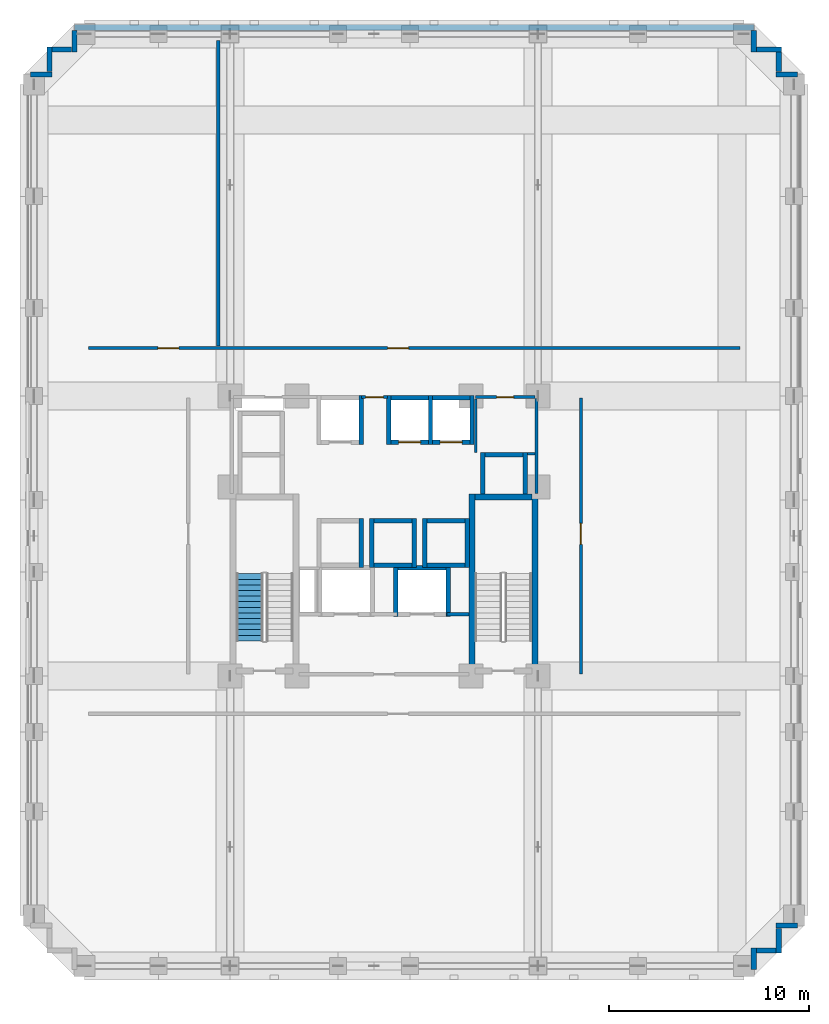
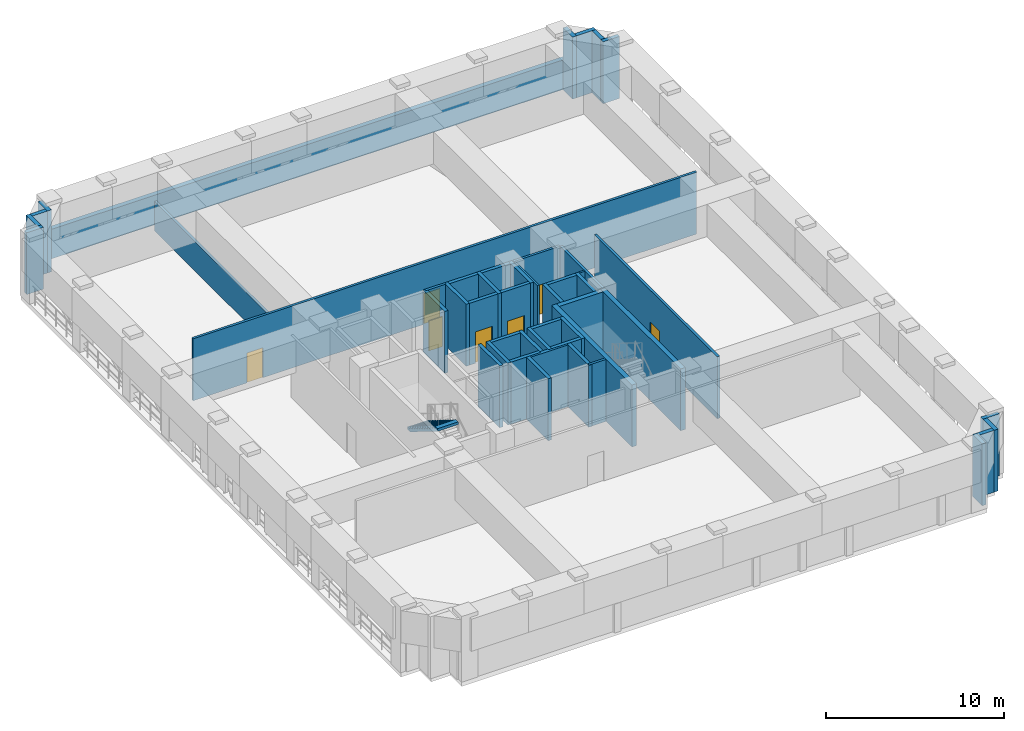
# One storey, part 5 of 11: 48 walls, 7 doors, 1 stair flight, 7 openings, 1 element without a shape of its own.
"""IFC4 building model written with IfcOpenShell, lengths in metres."""

from ifc_helpers import new_model, si_unit, derived_unit, direction, frame, frame_2d, origin, place, context, subcontext, project, spatial, polyline, rectangle, outline, extrude, material, layer, layer_set, type_object, element, fill, aggregate, save


model = new_model("IFC4")

# Units and contexts
model_context = context("Model", 3, precision=1e-05, world=origin(), true_north=direction((0.0, 1.0)))
body_context = subcontext(model_context, "Body", "Model", "MODEL_VIEW")
ifc_project = project(units=[si_unit("LENGTHUNIT", "METRE"), si_unit("AREAUNIT", "SQUARE_METRE"), si_unit("VOLUMEUNIT", "CUBIC_METRE"), si_unit("PLANEANGLEUNIT", "RADIAN"), si_unit("MASSUNIT", "GRAM", prefix="KILO"), derived_unit("THERMALTRANSMITTANCEUNIT", [(si_unit("MASSUNIT", "GRAM", prefix="KILO"), 1), (si_unit("TIMEUNIT", "SECOND"), -3), (si_unit("THERMODYNAMICTEMPERATUREUNIT", "KELVIN"), -1)])], contexts=[model_context])

# Site, building, storey
site_placement = place(None, origin())
site = spatial("IfcSite", under=ifc_project, at=site_placement, CompositionType="ELEMENT")
building_placement = place(site_placement, origin())
building = spatial("IfcBuilding", under=site, at=building_placement, Name="Korrvale Station Residences", CompositionType="ELEMENT")
storey_placement = place(building_placement, frame((0.0, 0.0, 70.60009765625)))
storey = spatial("IfcBuildingStorey", under=building, at=storey_placement, Name="L19", CompositionType="ELEMENT", Elevation=70.60009765625)

# Walls
ifc_material_1 = material(Name="Concrete C70/85", Category="concrete")
ifc_layer_1 = layer(ifc_material_1, 0.300048828125, Name="Concrete C70/85")
ifc_layer_set_1 = layer_set([ifc_layer_1], Name="Concrete C70/85")
wall_type_1 = type_object("IfcWallType", Name="WAL-CORE-300-C70", PredefinedType="SHEAR", material=ifc_layer_set_1)
for number, where, z_axis, x_axis, name in (
    (1, (29.89990234375, 15.10009765625, 0.0), (0.0, 0.0, 1.0), (0.0, 1.0, 0.0), "L19 ST-2 Core Shear Wall West"),
    (2, (33.050048828125, 15.10009765625, 0.0), (0.0, 0.0, 1.0), (0.0, 1.0, 0.0), "L19 ST-2 Core Shear Wall East"),
):
    element("IfcWall", number, at=place(storey_placement, frame(where, z_axis=z_axis, x_axis=x_axis)), inside=storey, type_object=wall_type_1, Name=name, PredefinedType="SHEAR", context=body_context, shape_type="SweptSolid", body=[
        extrude(rectangle(XDim=9.0, YDim=0.300048828125, at=frame_2d((4.5, 0.0))), origin(), (0.0, 0.0, 1.0), 4.239990234375),
    ])
wall_1_placement = place(storey_placement, frame((30.050048828125, 23.949951171875, 0.0), z_axis=(0.0, 0.0, 1.0), x_axis=(1.0, 0.0, 0.0)))
element("IfcWall", 3, at=wall_1_placement, inside=storey, type_object=wall_type_1, Name="L19 ST-2 Core Shear Wall North", PredefinedType="SHEAR", context=body_context, shape_type="SweptSolid", body=[
    extrude(rectangle(XDim=2.849853515625, YDim=0.300048828125, at=frame_2d((1.4248046875, 0.0))), origin(), (0.0, 0.0, 1.0), 4.239990234375),
])
ifc_material_2 = material(Name="Precast concrete C45/55", Category="concrete")
ifc_layer_2 = layer(ifc_material_2, 0.260009765625, Name="Precast concrete C45/55")
ifc_layer_set_2 = layer_set([ifc_layer_2], Name="Precast concrete C45/55")
wall_type_2 = type_object("IfcWallType", Name="WAL-EXT-LOG260", PredefinedType="SOLIDWALL", material=ifc_layer_set_2)
wall_2_placement = place(storey_placement, frame((7.802001953125, 45.10009765625, 0.0), z_axis=(0.0, 0.0, 1.0), x_axis=(1.0, 0.0, 0.0)))
element("IfcWall", 4, at=wall_2_placement, inside=storey, type_object=wall_type_2, Name="L19 Serrated Corner Precast Step NW-1", PredefinedType="SOLIDWALL", context=body_context, shape_type="SweptSolid", body=[
    extrude(rectangle(XDim=1.077880859375, YDim=0.260009765625, at=frame_2d((0.5390625, 0.0))), origin(), (0.0, 0.0, 1.0), 4.239990234375),
])
wall_3_placement = place(storey_placement, frame((8.75, 45.23193359375, 0.0), z_axis=(0.0, 0.0, 1.0), x_axis=(0.0, 1.0, 0.0)))
element("IfcWall", 5, at=wall_3_placement, inside=storey, type_object=wall_type_2, Name="L19 Serrated Corner Precast Step NW-2", PredefinedType="SOLIDWALL", context=body_context, shape_type="SweptSolid", body=[
    extrude(rectangle(XDim=1.248046875, YDim=0.260009765625, at=frame_2d((0.6240234375, 0.0))), origin(), (0.0, 0.0, 1.0), 4.239990234375),
])
wall_4_placement = place(storey_placement, frame((8.882080078125, 46.35009765625, 0.0), z_axis=(0.0, 0.0, 1.0), x_axis=(1.0, 0.0, 0.0)))
element("IfcWall", 6, at=wall_4_placement, inside=storey, type_object=wall_type_2, Name="L19 Serrated Corner Precast Step NW-3", PredefinedType="SOLIDWALL", context=body_context, shape_type="SweptSolid", body=[
    extrude(rectangle(XDim=0.98583984375, YDim=0.260009765625, at=frame_2d((0.492919921875, 0.0))), origin(), (0.0, 0.0, 1.0), 4.239990234375),
])
for number, where, z_axis, x_axis, name in (
    (7, (10.0, 46.219970703125, 0.0), (0.0, 0.0, 1.0), (0.0, 1.0, 0.0), "L19 Serrated Corner Precast Step NW-4"),
    (8, (44.0, 47.298095703125, 0.0), (0.0, 0.0, 1.0), (0.0, -1.0, 0.0), "L19 Serrated Corner Precast Step NE-1"),
):
    element("IfcWall", number, at=place(storey_placement, frame(where, z_axis=z_axis, x_axis=x_axis)), inside=storey, type_object=wall_type_2, Name=name, PredefinedType="SOLIDWALL", context=body_context, shape_type="SweptSolid", body=[
        extrude(rectangle(XDim=1.078125, YDim=0.260009765625, at=frame_2d((0.5390625, 0.0))), origin(), (0.0, 0.0, 1.0), 4.239990234375),
    ])
wall_5_placement = place(storey_placement, frame((44.132080078125, 46.35009765625, 0.0), z_axis=(0.0, 0.0, 1.0), x_axis=(1.0, 0.0, 0.0)))
element("IfcWall", 9, at=wall_5_placement, inside=storey, type_object=wall_type_2, Name="L19 Serrated Corner Precast Step NE-2", PredefinedType="SOLIDWALL", context=body_context, shape_type="SweptSolid", body=[
    extrude(rectangle(XDim=1.247802734375, YDim=0.260009765625, at=frame_2d((0.6240234375, 0.0))), origin(), (0.0, 0.0, 1.0), 4.239990234375),
])
wall_6_placement = place(storey_placement, frame((45.25, 46.218017578125, 0.0), z_axis=(0.0, 0.0, 1.0), x_axis=(0.0, -1.0, 0.0)))
element("IfcWall", 10, at=wall_6_placement, inside=storey, type_object=wall_type_2, Name="L19 Serrated Corner Precast Step NE-3", PredefinedType="SOLIDWALL", context=body_context, shape_type="SweptSolid", body=[
    extrude(rectangle(XDim=0.986083984375, YDim=0.260009765625, at=frame_2d((0.4931640625, 0.0))), origin(), (0.0, 0.0, 1.0), 4.239990234375),
])
for number, where, z_axis, x_axis, name in (
    (11, (45.1201171875, 45.10009765625, 0.0), (0.0, 0.0, 1.0), (1.0, 0.0, 0.0), "L19 Serrated Corner Precast Step NE-4"),
    (12, (46.197998046875, 2.5, 0.0), (0.0, 0.0, 1.0), (-1.0, 0.0, 0.0), "L19 Serrated Corner Precast Step SE-1"),
):
    element("IfcWall", number, at=place(storey_placement, frame(where, z_axis=z_axis, x_axis=x_axis)), inside=storey, type_object=wall_type_2, Name=name, PredefinedType="SOLIDWALL", context=body_context, shape_type="SweptSolid", body=[
        extrude(rectangle(XDim=1.077880859375, YDim=0.260009765625, at=frame_2d((0.5390625, 0.0))), origin(), (0.0, 0.0, 1.0), 4.239990234375),
    ])
wall_7_placement = place(storey_placement, frame((45.25, 2.367919921875, 0.0), z_axis=(0.0, 0.0, 1.0), x_axis=(0.0, -1.0, 0.0)))
element("IfcWall", 13, at=wall_7_placement, inside=storey, type_object=wall_type_2, Name="L19 Serrated Corner Precast Step SE-2", PredefinedType="SOLIDWALL", context=body_context, shape_type="SweptSolid", body=[
    extrude(rectangle(XDim=1.247802734375, YDim=0.260009765625, at=frame_2d((0.6240234375, 0.0))), origin(), (0.0, 0.0, 1.0), 4.239990234375),
])
wall_8_placement = place(storey_placement, frame((45.117919921875, 1.25, 0.0), z_axis=(0.0, 0.0, 1.0), x_axis=(-1.0, 0.0, 0.0)))
element("IfcWall", 14, at=wall_8_placement, inside=storey, type_object=wall_type_2, Name="L19 Serrated Corner Precast Step SE-3", PredefinedType="SOLIDWALL", context=body_context, shape_type="SweptSolid", body=[
    extrude(rectangle(XDim=0.98583984375, YDim=0.260009765625, at=frame_2d((0.492919921875, 0.0))), origin(), (0.0, 0.0, 1.0), 4.239990234375),
])
wall_9_placement = place(storey_placement, frame((44.0, 1.3798828125, 0.0), z_axis=(0.0, 0.0, 1.0), x_axis=(0.0, -1.0, 0.0)))
element("IfcWall", 15, at=wall_9_placement, inside=storey, type_object=wall_type_2, Name="L19 Serrated Corner Precast Step SE-4", PredefinedType="SOLIDWALL", context=body_context, shape_type="SweptSolid", body=[
    extrude(rectangle(XDim=1.077880859375, YDim=0.260009765625, at=frame_2d((0.5390625, 0.0))), origin(), (0.0, 0.0, 1.0), 4.239990234375),
])
ifc_layer_3 = layer(ifc_material_2, 0.300048828125, Name="Precast concrete C45/55")
ifc_layer_set_3 = layer_set([ifc_layer_3], Name="Precast concrete C45/55")
wall_type_3 = type_object("IfcWallType", Name="WAL-EXT-PC300", PredefinedType="SOLIDWALL", material=ifc_layer_set_3)
wall_10_placement = place(storey_placement, frame((10.0, 47.449951171875, 0.0), z_axis=(0.0, 0.0, 1.0), x_axis=(1.0, 0.0, 0.0)))
element("IfcWall", 16, at=wall_10_placement, inside=storey, type_object=wall_type_3, Name="L19 North Exterior Precast Wall 1", PredefinedType="SOLIDWALL", context=body_context, shape_type="SweptSolid", body=[
    extrude(rectangle(XDim=34.0, YDim=0.300048828125, at=frame_2d((17.0, 0.0))), origin(), (0.0, 0.0, 1.0), 2.02490234375),
])
ifc_material_3 = material(Name="Acoustic steel-stud gypsum board partition", Category="steel")
ifc_layer_4 = layer(ifc_material_3, 0.1201171875, Name="Acoustic steel-stud gypsum board partition")
ifc_layer_set_4 = layer_set([ifc_layer_4], Name="Acoustic steel-stud gypsum board partition")
wall_type_4 = type_object("IfcWallType", Name="WAL-PART-125", PredefinedType="PARTITIONING", material=ifc_layer_set_4)
wall_11_placement = place(storey_placement, frame((30.080078125, 26.179931640625, 0.0), z_axis=(0.0, 0.0, 1.0), x_axis=(0.0, 1.0, 0.0)))
element("IfcWall", 17, at=wall_11_placement, inside=storey, type_object=wall_type_4, Name="L19 Core Partition CW-CS-W", PredefinedType="PARTITIONING", context=body_context, shape_type="SweptSolid", body=[
    extrude(rectangle(XDim=2.68017578125, YDim=0.1201171875, at=frame_2d((1.340087890625, 0.0))), origin(), (0.0, 0.0, 1.0), 4.239990234375),
])
wall_12_placement = place(storey_placement, frame((32.679931640625, 26.1201171875, 0.0), z_axis=(0.0, 0.0, 1.0), x_axis=(1.0, 0.0, 0.0)))
element("IfcWall", 18, at=wall_12_placement, inside=storey, type_object=wall_type_4, Name="L19 Core Partition CW-CS-S", PredefinedType="PARTITIONING", context=body_context, shape_type="SweptSolid", body=[
    extrude(rectangle(XDim=0.380126953125, YDim=0.1201171875, at=frame_2d((0.18994140625, 0.0))), origin(), (0.0, 0.0, 1.0), 4.239990234375),
])
ifc_material_4 = material(Name="Fire-rated twin-stud gypsum and mineral wool shaftwall assembly", Category="gypsum")
ifc_layer_5 = layer(ifc_material_4, 0.159912109375, Name="Fire-rated twin-stud gypsum and mineral wool shaftwall assembly")
ifc_layer_set_5 = layer_set([ifc_layer_5], Name="Fire-rated twin-stud gypsum and mineral wool shaftwall assembly")
wall_type_5 = type_object("IfcWallType", Name="WAL-PART-200", PredefinedType="PARTITIONING", material=ifc_layer_set_5)
wall_13_placement = place(storey_placement, frame((28.64990234375, 18.080078125, 0.0), z_axis=(0.0, 0.0, 1.0), x_axis=(1.0, 0.0, 0.0)))
element("IfcWall", 19, at=wall_13_placement, inside=storey, type_object=wall_type_5, Name="L19 Core Partition CW-FFL-N3", PredefinedType="PARTITIONING", context=body_context, shape_type="SweptSolid", body=[
    extrude(rectangle(XDim=1.10009765625, YDim=0.159912109375, at=frame_2d((0.550048828125, 0.0))), origin(), (0.0, 0.0, 1.0), 4.239990234375),
])
wall_14_placement = place(storey_placement, frame((33.1201171875, 24.1201171875, 0.0), z_axis=(0.0, 0.0, 1.0), x_axis=(0.0, 1.0, 0.0)))
element("IfcWall", 20, at=wall_14_placement, inside=storey, type_object=wall_type_5, Name="L19 Core Partition CW-E-N", PredefinedType="PARTITIONING", context=body_context, shape_type="SweptSolid", body=[
    extrude(rectangle(XDim=4.759765625, YDim=0.159912109375, at=frame_2d((2.3798828125, 0.0))), origin(), (0.0, 0.0, 1.0), 4.239990234375),
])

# Wall, opening, door
wall_15_placement = place(storey_placement, frame((24.360107421875, 28.949951171875, 0.0), z_axis=(0.0, 0.0, 1.0), x_axis=(1.0, 0.0, 0.0)))
wall_15 = element("IfcWall", 21, at=wall_15_placement, inside=storey, type_object=wall_type_5, Name="L19 Core Partition CW-LLOB-N", PredefinedType="PARTITIONING", context=body_context, shape_type="SweptSolid", body=[
    extrude(rectangle(XDim=1.31982421875, YDim=0.159912109375, at=frame_2d((0.659912109375, 0.0))), origin(), (0.0, 0.0, 1.0), 4.239990234375),
])
opening_1_placement = place(wall_15_placement, frame((0.2099609375, 0.0, 0.0)))
opening_1 = element("IfcOpeningElement", 22, at=opening_1_placement, cuts=wall_15, Name="Opening DI-900", PredefinedType="OPENING", context=body_context, shape_type="SweptSolid", body=[
    extrude(rectangle(XDim=0.89990234375, YDim=2.050048828125, at=frame_2d((0.449951171875, 1.02490234375))), frame((0.0, 0.08984375, 0.0), z_axis=(0.0, -1.0, 0.0), x_axis=(1.0, 0.0, 0.0)), (0.0, 0.0, 1.0), 0.179931640625),
])
ifc_material_5 = material(Name="Painted solid-core timber interior room door", Category="wood")
door_type_1 = type_object("IfcDoorType", Name="DR-INT-900", OperationType="NOTDEFINED", PredefinedType="DOOR", material=ifc_material_5)
door_1_placement = place(opening_1_placement, origin())
door_1 = element("IfcDoor", 23, at=door_1_placement, inside=storey, type_object=door_type_1, Name="L19 Central Hallway North Passage Door", OperationType="SINGLE_SWING_LEFT", OverallHeight=2.050048828125, OverallWidth=0.89990234375, PredefinedType="DOOR", context=body_context, shape_type="SweptSolid", body=[
    extrude(rectangle(XDim=0.89990234375, YDim=2.050048828125, at=frame_2d((0.449951171875, 1.02490234375))), frame((0.0, 0.02490234375, 0.0), z_axis=(0.0, -1.0, 0.0), x_axis=(1.0, 0.0, 0.0)), (0.0, 0.0, 1.0), 0.050048828125),
])
fill(opening_1, door_1)

wall_16_placement = place(storey_placement, frame((30.080078125, 28.949951171875, 0.0), z_axis=(0.0, 0.0, 1.0), x_axis=(1.0, 0.0, 0.0)))
wall_16 = element("IfcWall", 24, at=wall_16_placement, inside=storey, type_object=wall_type_5, Name="L19 Core Partition CW-CS-N", PredefinedType="PARTITIONING", context=body_context, shape_type="SweptSolid", body=[
    extrude(rectangle(XDim=2.9599609375, YDim=0.159912109375, at=frame_2d((1.47998046875, 0.0))), origin(), (0.0, 0.0, 1.0), 4.239990234375),
])
opening_2_placement = place(wall_16_placement, frame((1.044921875, 0.0, 0.0)))
opening_2 = element("IfcOpeningElement", 25, at=opening_2_placement, cuts=wall_16, Name="Opening DB-860", PredefinedType="OPENING", context=body_context, shape_type="SweptSolid", body=[
    extrude(rectangle(XDim=0.860107421875, YDim=2.050048828125, at=frame_2d((0.43017578125, 1.02490234375))), frame((0.0, 0.08984375, 0.0), z_axis=(0.0, -1.0, 0.0), x_axis=(1.0, 0.0, 0.0)), (0.0, 0.0, 1.0), 0.179931640625),
])
ifc_material_6 = material(Name="Moisture-resistant solid-core bathroom door", Category="timber")
door_type_2 = type_object("IfcDoorType", Name="DR-BATH-860", OperationType="NOTDEFINED", PredefinedType="DOOR", material=ifc_material_6)
door_2_placement = place(opening_2_placement, origin())
door_2 = element("IfcDoor", 26, at=door_2_placement, inside=storey, type_object=door_type_2, Name="L19 Core Equipment Room Door", OperationType="SINGLE_SWING_LEFT", OverallHeight=2.050048828125, OverallWidth=0.860107421875, PredefinedType="DOOR", context=body_context, shape_type="SweptSolid", body=[
    extrude(rectangle(XDim=0.860107421875, YDim=2.050048828125, at=frame_2d((0.43017578125, 1.02490234375))), frame((0.0, 0.02490234375, 0.0), z_axis=(0.0, -1.0, 0.0), x_axis=(1.0, 0.0, 0.0)), (0.0, 0.0, 1.0), 0.050048828125),
])
fill(opening_2, door_2)

# Wall, openings, doors
wall_17_placement = place(storey_placement, frame((10.699951171875, 31.39990234375, 0.0), z_axis=(0.0, 0.0, 1.0), x_axis=(1.0, 0.0, 0.0)))
wall_17 = element("IfcWall", 27, at=wall_17_placement, inside=storey, type_object=wall_type_5, Name="L19 Interior Partition W-RN", PredefinedType="PARTITIONING", context=body_context, shape_type="SweptSolid", body=[
    extrude(rectangle(XDim=32.60009765625, YDim=0.159912109375, at=frame_2d((16.300048828125, 0.0))), origin(), (0.0, 0.0, 1.0), 4.239990234375),
])
opening_3_placement = place(wall_17_placement, frame((3.47509765625, 0.0, 0.0)))
opening_3 = element("IfcOpeningElement", 28, at=opening_3_placement, cuts=wall_17, Name="Opening FD-1050", PredefinedType="OPENING", context=body_context, shape_type="SweptSolid", body=[
    extrude(rectangle(XDim=1.050048828125, YDim=2.050048828125, at=frame_2d((0.52490234375, 1.02490234375))), frame((0.0, 0.08984375, 0.0), z_axis=(0.0, -1.0, 0.0), x_axis=(1.0, 0.0, 0.0)), (0.0, 0.0, 1.0), 0.179931640625),
])
opening_4_placement = place(wall_17_placement, frame((14.97509765625, 0.0, 0.0)))
opening_4 = element("IfcOpeningElement", 29, at=opening_4_placement, cuts=wall_17, Name="Opening FD-1050", PredefinedType="OPENING", context=body_context, shape_type="SweptSolid", body=[
    extrude(rectangle(XDim=1.050048828125, YDim=2.050048828125, at=frame_2d((0.52490234375, 1.02490234375))), frame((0.0, 0.08984375, 0.0), z_axis=(0.0, -1.0, 0.0), x_axis=(1.0, 0.0, 0.0)), (0.0, 0.0, 1.0), 0.179931640625),
])
ifc_material_7 = material(Name="Fire-rated mineral-core timber lobby door", Category="wood")
door_type_3 = type_object("IfcDoorType", Name="DR-CORE-1050", OperationType="NOTDEFINED", PredefinedType="DOOR", material=ifc_material_7)
door_3_placement = place(opening_3_placement, origin())
door_3 = element("IfcDoor", 30, at=door_3_placement, inside=storey, type_object=door_type_3, Name="L19 Zone Substation Door", OperationType="SINGLE_SWING_LEFT", OverallHeight=2.050048828125, OverallWidth=1.050048828125, PredefinedType="DOOR", context=body_context, shape_type="SweptSolid", body=[
    extrude(rectangle(XDim=1.050048828125, YDim=2.050048828125, at=frame_2d((0.52490234375, 1.02490234375))), frame((0.0, 0.02490234375, 0.0), z_axis=(0.0, -1.0, 0.0), x_axis=(1.0, 0.0, 0.0)), (0.0, 0.0, 1.0), 0.050048828125),
])
fill(opening_3, door_3)
door_4_placement = place(opening_4_placement, origin())
door_4 = element("IfcDoor", 31, at=door_4_placement, inside=storey, type_object=door_type_3, Name="L19 Zone AHU Plant Door", OperationType="SINGLE_SWING_RIGHT", OverallHeight=2.050048828125, OverallWidth=1.050048828125, PredefinedType="DOOR", context=body_context, shape_type="SweptSolid", body=[
    extrude(rectangle(XDim=1.050048828125, YDim=2.050048828125, at=frame_2d((0.52490234375, 1.02490234375))), frame((0.0, 0.02490234375, 0.0), z_axis=(0.0, -1.0, 0.0), x_axis=(1.0, 0.0, 0.0)), (0.0, 0.0, 1.0), 0.050048828125),
])
fill(opening_4, door_4)

# Wall
wall_18_placement = place(storey_placement, frame((17.199951171875, 31.5, 0.0), z_axis=(0.0, 0.0, 1.0), x_axis=(0.0, 1.0, 0.0)))
element("IfcWall", 32, at=wall_18_placement, inside=storey, type_object=wall_type_5, Name="L19 Interior Partition W-RM", PredefinedType="PARTITIONING", context=body_context, shape_type="SweptSolid", body=[
    extrude(rectangle(XDim=15.300048828125, YDim=0.159912109375, at=frame_2d((7.64990234375, 0.0))), origin(), (0.0, 0.0, 1.0), 2.02490234375),
])

# Wall, opening, door
wall_19_placement = place(storey_placement, frame((35.35009765625, 15.10009765625, 0.0), z_axis=(0.0, 0.0, 1.0), x_axis=(0.0, 1.0, 0.0)))
wall_19 = element("IfcWall", 33, at=wall_19_placement, inside=storey, type_object=wall_type_5, Name="L19 Interior Partition W-RE", PredefinedType="PARTITIONING", context=body_context, shape_type="SweptSolid", body=[
    extrude(rectangle(XDim=13.7998046875, YDim=0.159912109375, at=frame_2d((6.89990234375, 0.0))), origin(), (0.0, 0.0, 1.0), 4.239990234375),
])
opening_5_placement = place(wall_19_placement, frame((6.47509765625, 0.0, 0.0)))
opening_5 = element("IfcOpeningElement", 34, at=opening_5_placement, cuts=wall_19, Name="Opening FD-1050", PredefinedType="OPENING", context=body_context, shape_type="SweptSolid", body=[
    extrude(rectangle(XDim=1.050048828125, YDim=2.050048828125, at=frame_2d((0.52490234375, 1.02490234375))), frame((0.0, 0.08984375, 0.0), z_axis=(0.0, -1.0, 0.0), x_axis=(1.0, 0.0, 0.0)), (0.0, 0.0, 1.0), 0.179931640625),
])
door_5_placement = place(opening_5_placement, origin())
door_5 = element("IfcDoor", 35, at=door_5_placement, inside=storey, type_object=door_type_3, Name="L19 East Refuge Area Fire Door", OperationType="SINGLE_SWING_RIGHT", OverallHeight=2.050048828125, OverallWidth=1.050048828125, PredefinedType="DOOR", context=body_context, shape_type="SweptSolid", body=[
    extrude(rectangle(XDim=1.050048828125, YDim=2.050048828125, at=frame_2d((0.52490234375, 1.02490234375))), frame((0.0, 0.02490234375, 0.0), z_axis=(0.0, -1.0, 0.0), x_axis=(1.0, 0.0, 0.0)), (0.0, 0.0, 1.0), 0.050048828125),
])
fill(opening_5, door_5)

# Wall
ifc_layer_6 = layer(ifc_material_1, 0.219970703125, Name="Concrete C70/85")
ifc_layer_set_6 = layer_set([ifc_layer_6], Name="Concrete C70/85")
wall_type_6 = type_object("IfcWallType", Name="WAL-SHAFT-220-C70", PredefinedType="SHEAR", material=ifc_layer_set_6)
wall_20_placement = place(storey_placement, frame((24.360107421875, 26.580078125, 0.0), z_axis=(0.0, 0.0, 1.0), x_axis=(0.0, 1.0, 0.0)))
element("IfcWall", 36, at=wall_20_placement, inside=storey, type_object=wall_type_6, Name="L19 Elevator PL-1 Hoistway Wall East", PredefinedType="SHEAR", context=body_context, shape_type="SweptSolid", body=[
    extrude(rectangle(XDim=2.43994140625, YDim=0.219970703125, at=frame_2d((1.219970703125, 0.0))), origin(), (0.0, 0.0, 1.0), 4.239990234375),
])

# Wall, opening, door
wall_21_placement = place(storey_placement, frame((25.85009765625, 26.68994140625, 0.0), z_axis=(0.0, 0.0, 1.0), x_axis=(1.0, 0.0, 0.0)))
wall_21 = element("IfcWall", 37, at=wall_21_placement, inside=storey, type_object=wall_type_6, Name="L19 Elevator PL-2 Hoistway Wall South", PredefinedType="SHEAR", context=body_context, shape_type="SweptSolid", body=[
    extrude(rectangle(XDim=1.85986328125, YDim=0.219970703125, at=frame_2d((0.929931640625, 0.0))), origin(), (0.0, 0.0, 1.0), 4.239990234375),
])
opening_6_placement = place(wall_21_placement, frame((0.3798828125, 0.0, 0.0)))
opening_6 = element("IfcOpeningElement", 38, at=opening_6_placement, cuts=wall_21, Name="Opening LD-1100", PredefinedType="OPENING", context=body_context, shape_type="SweptSolid", body=[
    extrude(rectangle(XDim=1.10009765625, YDim=2.14990234375, at=frame_2d((0.550048828125, 1.074951171875))), frame((0.0, 0.1201171875, 0.0), z_axis=(0.0, -1.0, 0.0), x_axis=(1.0, 0.0, 0.0)), (0.0, 0.0, 1.0), 0.239990234375),
])
ifc_material_8 = material(Name="Brushed stainless-steel elevator landing sliding door", Category="steel")
door_type_4 = type_object("IfcDoorType", Name="DR-LIFT-1100", OperationType="SLIDING_TO_LEFT", PredefinedType="DOOR", material=ifc_material_8)
door_6_placement = place(opening_6_placement, origin())
door_6 = element("IfcDoor", 39, at=door_6_placement, inside=storey, type_object=door_type_4, Name="L19 Elevator PL-2 Sliding Landing Door", OperationType="SLIDING_TO_LEFT", OverallHeight=2.14990234375, OverallWidth=1.10009765625, PredefinedType="DOOR", context=body_context, shape_type="SweptSolid", body=[
    extrude(rectangle(XDim=1.10009765625, YDim=2.14990234375, at=frame_2d((0.550048828125, 1.074951171875))), frame((0.0, 0.02490234375, 0.0), z_axis=(0.0, -1.0, 0.0), x_axis=(1.0, 0.0, 0.0)), (0.0, 0.0, 1.0), 0.050048828125),
])
fill(opening_6, door_6)

# Walls
wall_22_placement = place(storey_placement, frame((25.85009765625, 28.909912109375, 0.0), z_axis=(0.0, 0.0, 1.0), x_axis=(1.0, 0.0, 0.0)))
element("IfcWall", 40, at=wall_22_placement, inside=storey, type_object=wall_type_6, Name="L19 Elevator PL-2 Hoistway Wall North", PredefinedType="SHEAR", context=body_context, shape_type="SweptSolid", body=[
    extrude(rectangle(XDim=1.85986328125, YDim=0.219970703125, at=frame_2d((0.929931640625, 0.0))), origin(), (0.0, 0.0, 1.0), 4.239990234375),
])
for number, where, z_axis, x_axis, name in (
    (41, (25.739990234375, 26.580078125, 0.0), (0.0, 0.0, 1.0), (0.0, 1.0, 0.0), "L19 Elevator PL-2 Hoistway Wall West"),
    (42, (27.820068359375, 26.580078125, 0.0), (0.0, 0.0, 1.0), (0.0, 1.0, 0.0), "L19 Elevator PL-2 Hoistway Wall East"),
):
    element("IfcWall", number, at=place(storey_placement, frame(where, z_axis=z_axis, x_axis=x_axis)), inside=storey, type_object=wall_type_6, Name=name, PredefinedType="SHEAR", context=body_context, shape_type="SweptSolid", body=[
        extrude(rectangle(XDim=2.43994140625, YDim=0.219970703125, at=frame_2d((1.219970703125, 0.0))), origin(), (0.0, 0.0, 1.0), 4.239990234375),
    ])

# Wall, opening, door
wall_23_placement = place(storey_placement, frame((27.929931640625, 26.68994140625, 0.0), z_axis=(0.0, 0.0, 1.0), x_axis=(1.0, 0.0, 0.0)))
wall_23 = element("IfcWall", 43, at=wall_23_placement, inside=storey, type_object=wall_type_6, Name="L19 Elevator PL-3 Hoistway Wall South", PredefinedType="SHEAR", context=body_context, shape_type="SweptSolid", body=[
    extrude(rectangle(XDim=1.860107421875, YDim=0.219970703125, at=frame_2d((0.93017578125, 0.0))), origin(), (0.0, 0.0, 1.0), 4.239990234375),
])
opening_7_placement = place(wall_23_placement, frame((0.3798828125, 0.0, 0.0)))
opening_7 = element("IfcOpeningElement", 44, at=opening_7_placement, cuts=wall_23, Name="Opening LD-1100", PredefinedType="OPENING", context=body_context, shape_type="SweptSolid", body=[
    extrude(rectangle(XDim=1.10009765625, YDim=2.14990234375, at=frame_2d((0.550048828125, 1.074951171875))), frame((0.0, 0.1201171875, 0.0), z_axis=(0.0, -1.0, 0.0), x_axis=(1.0, 0.0, 0.0)), (0.0, 0.0, 1.0), 0.239990234375),
])
door_7_placement = place(opening_7_placement, origin())
door_7 = element("IfcDoor", 45, at=door_7_placement, inside=storey, type_object=door_type_4, Name="L19 Elevator PL-3 Sliding Landing Door", OperationType="SLIDING_TO_LEFT", OverallHeight=2.14990234375, OverallWidth=1.10009765625, PredefinedType="DOOR", context=body_context, shape_type="SweptSolid", body=[
    extrude(rectangle(XDim=1.10009765625, YDim=2.14990234375, at=frame_2d((0.550048828125, 1.074951171875))), frame((0.0, 0.02490234375, 0.0), z_axis=(0.0, -1.0, 0.0), x_axis=(1.0, 0.0, 0.0)), (0.0, 0.0, 1.0), 0.050048828125),
])
fill(opening_7, door_7)

# Walls
wall_24_placement = place(storey_placement, frame((27.929931640625, 28.909912109375, 0.0), z_axis=(0.0, 0.0, 1.0), x_axis=(1.0, 0.0, 0.0)))
element("IfcWall", 46, at=wall_24_placement, inside=storey, type_object=wall_type_6, Name="L19 Elevator PL-3 Hoistway Wall North", PredefinedType="SHEAR", context=body_context, shape_type="SweptSolid", body=[
    extrude(rectangle(XDim=1.860107421875, YDim=0.219970703125, at=frame_2d((0.93017578125, 0.0))), origin(), (0.0, 0.0, 1.0), 4.239990234375),
])
wall_25_placement = place(storey_placement, frame((29.89990234375, 26.580078125, 0.0), z_axis=(0.0, 0.0, 1.0), x_axis=(0.0, 1.0, 0.0)))
element("IfcWall", 47, at=wall_25_placement, inside=storey, type_object=wall_type_6, Name="L19 Elevator PL-3 Hoistway Wall East", PredefinedType="SHEAR", context=body_context, shape_type="SweptSolid", body=[
    extrude(rectangle(XDim=2.43994140625, YDim=0.219970703125, at=frame_2d((1.219970703125, 0.0))), origin(), (0.0, 0.0, 1.0), 4.239990234375),
])
wall_26_placement = place(storey_placement, frame((24.360107421875, 20.429931640625, 0.0), z_axis=(0.0, 0.0, 1.0), x_axis=(0.0, 1.0, 0.0)))
element("IfcWall", 48, at=wall_26_placement, inside=storey, type_object=wall_type_6, Name="L19 Elevator PM-1 Hoistway Wall East", PredefinedType="SHEAR", context=body_context, shape_type="SweptSolid", body=[
    extrude(rectangle(XDim=2.440185546875, YDim=0.219970703125, at=frame_2d((1.22021484375, 0.0))), origin(), (0.0, 0.0, 1.0), 4.239990234375),
])
for number, where, z_axis, x_axis, name in (
    (49, (25.0, 20.5400390625, 0.0), (0.0, 0.0, 1.0), (1.0, 0.0, 0.0), "L19 Elevator PM-2 Hoistway Wall South"),
    (50, (25.0, 22.760009765625, 0.0), (0.0, 0.0, 1.0), (1.0, 0.0, 0.0), "L19 Elevator PM-2 Hoistway Wall North"),
):
    element("IfcWall", number, at=place(storey_placement, frame(where, z_axis=z_axis, x_axis=x_axis)), inside=storey, type_object=wall_type_6, Name=name, PredefinedType="SHEAR", context=body_context, shape_type="SweptSolid", body=[
        extrude(rectangle(XDim=1.89990234375, YDim=0.219970703125, at=frame_2d((0.949951171875, 0.0))), origin(), (0.0, 0.0, 1.0), 4.239990234375),
    ])
for number, where, z_axis, x_axis, name in (
    (51, (24.889892578125, 20.429931640625, 0.0), (0.0, 0.0, 1.0), (0.0, 1.0, 0.0), "L19 Elevator PM-2 Hoistway Wall West"),
    (52, (27.010009765625, 20.429931640625, 0.0), (0.0, 0.0, 1.0), (0.0, 1.0, 0.0), "L19 Elevator PM-2 Hoistway Wall East"),
):
    element("IfcWall", number, at=place(storey_placement, frame(where, z_axis=z_axis, x_axis=x_axis)), inside=storey, type_object=wall_type_6, Name=name, PredefinedType="SHEAR", context=body_context, shape_type="SweptSolid", body=[
        extrude(rectangle(XDim=2.440185546875, YDim=0.219970703125, at=frame_2d((1.22021484375, 0.0))), origin(), (0.0, 0.0, 1.0), 4.239990234375),
    ])
for number, where, z_axis, x_axis, name in (
    (53, (27.64990234375, 20.5400390625, 0.0), (0.0, 0.0, 1.0), (1.0, 0.0, 0.0), "L19 Elevator PM-3 Hoistway Wall South"),
    (54, (27.64990234375, 22.760009765625, 0.0), (0.0, 0.0, 1.0), (1.0, 0.0, 0.0), "L19 Elevator PM-3 Hoistway Wall North"),
):
    element("IfcWall", number, at=place(storey_placement, frame(where, z_axis=z_axis, x_axis=x_axis)), inside=storey, type_object=wall_type_6, Name=name, PredefinedType="SHEAR", context=body_context, shape_type="SweptSolid", body=[
        extrude(rectangle(XDim=1.900146484375, YDim=0.219970703125, at=frame_2d((0.9501953125, 0.0))), origin(), (0.0, 0.0, 1.0), 4.239990234375),
    ])
for number, where, z_axis, x_axis, name in (
    (55, (27.5400390625, 20.429931640625, 0.0), (0.0, 0.0, 1.0), (0.0, 1.0, 0.0), "L19 Elevator PM-3 Hoistway Wall West"),
    (56, (29.659912109375, 20.429931640625, 0.0), (0.0, 0.0, 1.0), (0.0, 1.0, 0.0), "L19 Elevator PM-3 Hoistway Wall East"),
):
    element("IfcWall", number, at=place(storey_placement, frame(where, z_axis=z_axis, x_axis=x_axis)), inside=storey, type_object=wall_type_6, Name=name, PredefinedType="SHEAR", context=body_context, shape_type="SweptSolid", body=[
        extrude(rectangle(XDim=2.440185546875, YDim=0.219970703125, at=frame_2d((1.22021484375, 0.0))), origin(), (0.0, 0.0, 1.0), 4.239990234375),
    ])
wall_27_placement = place(storey_placement, frame((30.550048828125, 26.06005859375, 0.0), z_axis=(0.0, 0.0, 1.0), x_axis=(1.0, 0.0, 0.0)))
element("IfcWall", 57, at=wall_27_placement, inside=storey, type_object=wall_type_6, Name="L19 Elevator PH-3 Hoistway Wall North", PredefinedType="SHEAR", context=body_context, shape_type="SweptSolid", body=[
    extrude(rectangle(XDim=1.89990234375, YDim=0.219970703125, at=frame_2d((0.949951171875, 0.0))), origin(), (0.0, 0.0, 1.0), 4.239990234375),
])
for number, where, z_axis, x_axis, name in (
    (58, (30.43994140625, 24.10009765625, 0.0), (0.0, 0.0, 1.0), (0.0, 1.0, 0.0), "L19 Elevator PH-3 Hoistway Wall West"),
    (59, (32.56005859375, 24.10009765625, 0.0), (0.0, 0.0, 1.0), (0.0, 1.0, 0.0), "L19 Elevator PH-3 Hoistway Wall East"),
):
    element("IfcWall", number, at=place(storey_placement, frame(where, z_axis=z_axis, x_axis=x_axis)), inside=storey, type_object=wall_type_6, Name=name, PredefinedType="SHEAR", context=body_context, shape_type="SweptSolid", body=[
        extrude(rectangle(XDim=2.06982421875, YDim=0.219970703125, at=frame_2d((1.034912109375, 0.0))), origin(), (0.0, 0.0, 1.0), 4.239990234375),
    ])
wall_28_placement = place(storey_placement, frame((26.199951171875, 20.409912109375, 0.0), z_axis=(0.0, 0.0, 1.0), x_axis=(1.0, 0.0, 0.0)))
element("IfcWall", 60, at=wall_28_placement, inside=storey, type_object=wall_type_6, Name="L19 Elevator FFL-2 Hoistway Wall North", PredefinedType="SHEAR", context=body_context, shape_type="SweptSolid", body=[
    extrude(rectangle(XDim=2.400146484375, YDim=0.219970703125, at=frame_2d((1.2001953125, 0.0))), origin(), (0.0, 0.0, 1.0), 4.239990234375),
])
for number, where, z_axis, x_axis, name in (
    (61, (26.090087890625, 17.97998046875, 0.0), (0.0, 0.0, 1.0), (0.0, 1.0, 0.0), "L19 Elevator FFL-2 Hoistway Wall West"),
    (62, (28.7099609375, 17.97998046875, 0.0), (0.0, 0.0, 1.0), (0.0, 1.0, 0.0), "L19 Elevator FFL-2 Hoistway Wall East"),
):
    element("IfcWall", number, at=place(storey_placement, frame(where, z_axis=z_axis, x_axis=x_axis)), inside=storey, type_object=wall_type_6, Name=name, PredefinedType="SHEAR", context=body_context, shape_type="SweptSolid", body=[
        extrude(rectangle(XDim=2.5400390625, YDim=0.219970703125, at=frame_2d((1.27001953125, 0.0))), origin(), (0.0, 0.0, 1.0), 4.239990234375),
    ])

# Stair, stair flight
ifc_material_9 = material(Name="Concrete C50/60", Category="concrete")
stair_type = type_object("IfcStairType", Name="STR-DL-1350-26R-1731", PredefinedType="HALF_TURN_STAIR", material=ifc_material_9)
stair_placement = place(storey_placement, origin())
stair = element("IfcStair", 63, at=stair_placement, inside=storey, type_object=stair_type, Name="L19 Exit Stair 1", PredefinedType="HALF_TURN_STAIR")
stair_flight_type = type_object("IfcStairFlightType", Name="FLT-DL-1350-26R-1731", PredefinedType="STRAIGHT", material=ifc_material_9)
stair_flight_placement = place(storey_placement, frame((18.77490234375, 20.110107421875, 2.25), z_axis=(0.0, 0.0, 1.0), x_axis=(0.0, -1.0, 0.0)))
stair_flight = element("IfcStairFlight", 64, at=stair_flight_placement, type_object=stair_flight_type, Name="ST-1 flight 2", NumberOfRisers=13, NumberOfTreads=12, PredefinedType="STRAIGHT", RiserHeight=0.173076923, TreadLength=0.28, context=body_context, shape_type="SweptSolid", body=[
    extrude(outline(polyline([(0.0, 0.0), (0.0, 0.173095703125), (0.280029296875, 0.173095703125), (0.280029296875, 0.34619140625), (0.56005859375, 0.34619140625), (0.56005859375, 0.519287109375), (0.840087890625, 0.519287109375), (0.840087890625, 0.6923828125), (1.1201171875, 0.6923828125), (1.1201171875, 0.865478515625), (1.39990234375, 0.865478515625), (1.39990234375, 1.03857421875), (1.679931640625, 1.03857421875), (1.679931640625, 1.21142578125), (1.9599609375, 1.21142578125), (1.9599609375, 1.384521484375), (2.239990234375, 1.384521484375), (2.239990234375, 1.5576171875), (2.52001953125, 1.5576171875), (2.52001953125, 1.730712890625), (2.800048828125, 1.730712890625), (2.800048828125, 1.90380859375), (3.080078125, 1.90380859375), (3.080078125, 2.076904296875), (3.360107421875, 2.076904296875), (3.360107421875, 2.25), (3.360107421875, 1.900634765625), (0.28515625, 0.0), (0.0, 0.0)])), frame((0.0, 0.675048828125, 0.0), z_axis=(0.0, -1.0, 0.0), x_axis=(1.0, 0.0, 0.0)), (0.0, 0.0, 1.0), 1.35009765625),
])
aggregate(stair, [stair_flight])

save(model, "model.ifc")
